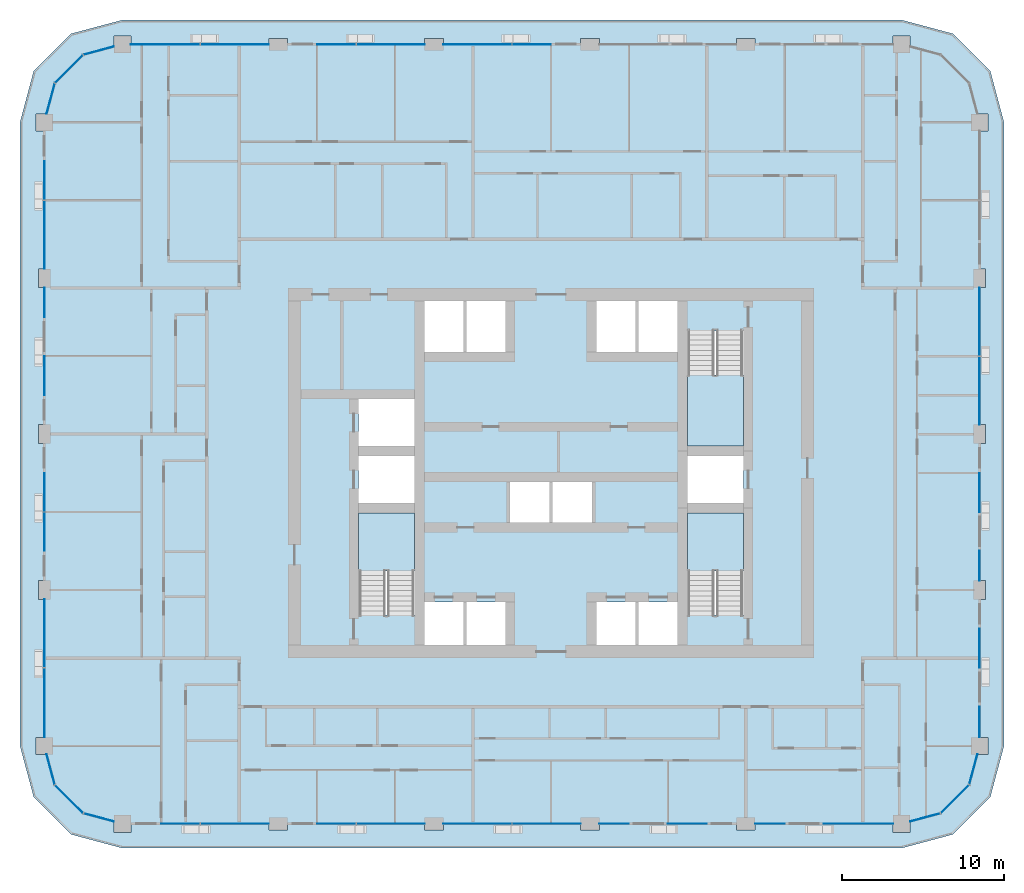
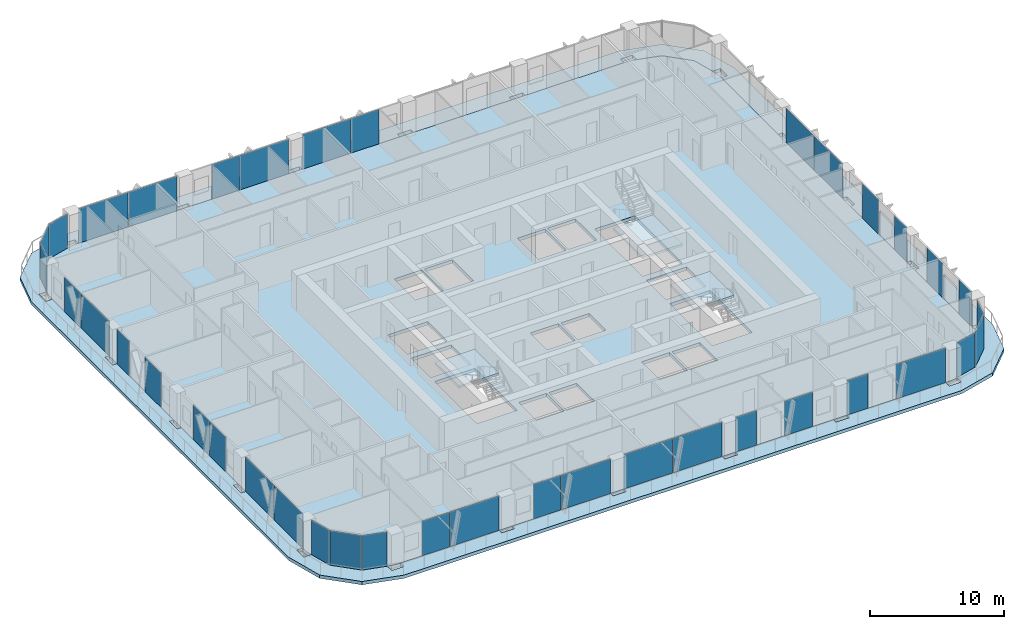
# One storey, part 7 of 22: 39 plates, 5 slabs, 21 elements without a shape of their own.
"""IFC4 building model written with IfcOpenShell, lengths in metres."""

from ifc_helpers import new_model, si_unit, direction, frame, origin, origin_2d, place, context, subcontext, project, spatial, polyline, rectangle, outline, extrude, material, layer, layer_set, type_object, element, aggregate, save


model = new_model("IFC4")

# Units and contexts
model_context = context("Model", 3, precision=1e-05, world=origin(), true_north=direction((0.0, 1.0)))
body_context = subcontext(model_context, "Body", "Model", "MODEL_VIEW")
ifc_project = project(units=[si_unit("LENGTHUNIT", "METRE"), si_unit("AREAUNIT", "SQUARE_METRE"), si_unit("VOLUMEUNIT", "CUBIC_METRE"), si_unit("PLANEANGLEUNIT", "RADIAN"), si_unit("MASSUNIT", "GRAM", prefix="KILO")], contexts=[model_context])

# Site, building, storey
site_placement = place(None, origin())
site = spatial("IfcSite", under=ifc_project, at=site_placement, CompositionType="ELEMENT")
building_placement = place(site_placement, origin())
building = spatial("IfcBuilding", under=site, at=building_placement, Name="Madar Terraces", CompositionType="ELEMENT")
storey_placement = place(building_placement, frame((0.0, 0.0, 119.10009765625)))
storey = spatial("IfcBuildingStorey", under=building, at=storey_placement, Name="L30", CompositionType="ELEMENT", Elevation=119.10009765625)

# Slabs
ifc_material_1 = material(Name="Concrete C50/60", Category="concrete")
ifc_layer_1 = layer(ifc_material_1, 0.300048828125)
ifc_layer_set_1 = layer_set([ifc_layer_1], Name="Balcony band 300")
slab_type_1 = type_object("IfcSlabType", Name="Balcony band 300", PredefinedType="FLOOR", material=ifc_layer_set_1)
slab_1_placement = place(storey_placement, frame((0.0, 0.0, -0.300048828125)))
element("IfcSlab", 1, at=slab_1_placement, inside=storey, type_object=slab_type_1, Name="Balcony band", PredefinedType="FLOOR", context=body_context, shape_type="SweptSolid", body=[
    extrude(outline(polyline([(4.800048828125, 3.300048828125), (1.64990234375, 4.14404296875), (-0.656005859375, 6.449951171875), (-1.5, 9.60009765625), (-1.5, 48.0), (-0.656005859375, 51.14990234375), (1.64990234375, 53.4560546875), (4.800048828125, 54.300048828125), (52.800048828125, 54.300048828125), (55.949951171875, 53.4560546875), (58.256103515625, 51.14990234375), (59.10009765625, 48.0), (59.10009765625, 9.60009765625), (58.256103515625, 6.449951171875), (55.949951171875, 4.14404296875), (52.800048828125, 3.300048828125), (4.800048828125, 3.300048828125)]), holes=[polyline([(5.324951171875, 4.27490234375), (5.324951171875, 4.800048828125), (13.824951171875, 4.800048828125), (13.824951171875, 4.425048828125), (14.97509765625, 4.425048828125), (14.97509765625, 4.800048828125), (23.425048828125, 4.800048828125), (23.425048828125, 4.425048828125), (24.574951171875, 4.425048828125), (24.574951171875, 4.800048828125), (33.02490234375, 4.800048828125), (33.02490234375, 4.425048828125), (34.175048828125, 4.425048828125), (34.175048828125, 4.800048828125), (42.625, 4.800048828125), (42.625, 4.425048828125), (43.77490234375, 4.425048828125), (43.77490234375, 4.800048828125), (52.27490234375, 4.800048828125), (52.27490234375, 4.27490234375), (53.324951171875, 4.27490234375), (53.324951171875, 4.940673828125), (55.199951171875, 5.443115234375), (56.956787109375, 7.199951171875), (57.459228515625, 9.074951171875), (58.125, 9.074951171875), (58.125, 10.125), (57.60009765625, 10.125), (57.60009765625, 18.625), (57.97509765625, 18.625), (57.97509765625, 19.77490234375), (57.60009765625, 19.77490234375), (57.60009765625, 28.22509765625), (57.97509765625, 28.22509765625), (57.97509765625, 29.375), (57.60009765625, 29.375), (57.60009765625, 37.824951171875), (57.97509765625, 37.824951171875), (57.97509765625, 38.97509765625), (57.60009765625, 38.97509765625), (57.60009765625, 47.47509765625), (58.125, 47.47509765625), (58.125, 48.52490234375), (57.459228515625, 48.52490234375), (56.956787109375, 50.39990234375), (55.199951171875, 52.156982421875), (53.324951171875, 52.6591796875), (53.324951171875, 53.324951171875), (52.27490234375, 53.324951171875), (52.27490234375, 52.800048828125), (43.77490234375, 52.800048828125), (43.77490234375, 53.175048828125), (42.625, 53.175048828125), (42.625, 52.800048828125), (34.175048828125, 52.800048828125), (34.175048828125, 53.175048828125), (33.02490234375, 53.175048828125), (33.02490234375, 52.800048828125), (24.574951171875, 52.800048828125), (24.574951171875, 53.175048828125), (23.425048828125, 53.175048828125), (23.425048828125, 52.800048828125), (14.97509765625, 52.800048828125), (14.97509765625, 53.175048828125), (13.824951171875, 53.175048828125), (13.824951171875, 52.800048828125), (5.324951171875, 52.800048828125), (5.324951171875, 53.324951171875), (4.27490234375, 53.324951171875), (4.27490234375, 52.6591796875), (2.39990234375, 52.156982421875), (0.64306640625, 50.39990234375), (0.140625, 48.52490234375), (-0.52490234375, 48.52490234375), (-0.52490234375, 47.47509765625), (0.0, 47.47509765625), (0.0, 38.97509765625), (-0.375, 38.97509765625), (-0.375, 37.824951171875), (0.0, 37.824951171875), (0.0, 29.375), (-0.375, 29.375), (-0.375, 28.22509765625), (0.0, 28.22509765625), (0.0, 19.77490234375), (-0.375, 19.77490234375), (-0.375, 18.625), (0.0, 18.625), (0.0, 10.125), (-0.52490234375, 10.125), (-0.52490234375, 9.074951171875), (0.140625, 9.074951171875), (0.64306640625, 7.199951171875), (2.39990234375, 5.443115234375), (4.27490234375, 4.940673828125), (4.27490234375, 4.27490234375), (5.324951171875, 4.27490234375)])]), origin(), (0.0, 0.0, 1.0), 0.300048828125),
])
ifc_material_2 = material(Name="Concrete C50/60", Category="concrete")
ifc_layer_2 = layer(ifc_material_2, 0.300048828125)
ifc_layer_set_2 = layer_set([ifc_layer_2], Name="FS2 PT flat slab 300")
slab_type_2 = type_object("IfcSlabType", Name="FS2 PT flat slab 300", PredefinedType="FLOOR", material=ifc_layer_set_2)
slab_2_placement = place(storey_placement, frame((0.0, 0.0, -0.300048828125)))
element("IfcSlab", 2, at=slab_2_placement, inside=storey, type_object=slab_type_2, Name="Floor slab L30 (1)", PredefinedType="FLOOR", context=body_context, shape_type="SweptSolid", body=[
    extrude(outline(polyline([(52.800048828125, 4.800048828125), (55.199951171875, 5.443115234375), (56.95703125, 7.199951171875), (57.60009765625, 9.60009765625), (57.60009765625, 48.0), (56.95703125, 50.39990234375), (55.199951171875, 52.156982421875), (52.800048828125, 52.800048828125), (4.800048828125, 52.800048828125), (2.39990234375, 52.156982421875), (0.64306640625, 50.39990234375), (0.0, 48.0), (0.0, 9.60009765625), (0.64306640625, 7.199951171875), (2.39990234375, 5.443115234375), (4.800048828125, 4.800048828125), (52.800048828125, 4.800048828125)]), holes=[polyline([(23.39990234375, 15.800048828125), (23.39990234375, 18.449951171875), (25.800048828125, 18.449951171875), (25.800048828125, 15.800048828125), (23.39990234375, 15.800048828125)]), polyline([(26.0, 15.800048828125), (26.0, 18.449951171875), (28.39990234375, 18.449951171875), (28.39990234375, 15.800048828125), (26.0, 15.800048828125)]), polyline([(19.35009765625, 17.64990234375), (19.35009765625, 23.949951171875), (22.800048828125, 23.949951171875), (22.800048828125, 17.64990234375), (19.35009765625, 17.64990234375)]), polyline([(28.666748046875, 23.35009765625), (28.666748046875, 25.85009765625), (31.10009765625, 25.85009765625), (31.10009765625, 23.35009765625), (28.666748046875, 23.35009765625)]), polyline([(19.35009765625, 24.550048828125), (19.35009765625, 27.449951171875), (22.800048828125, 27.449951171875), (22.800048828125, 24.550048828125), (19.35009765625, 24.550048828125)]), polyline([(19.35009765625, 28.050048828125), (19.35009765625, 30.949951171875), (22.800048828125, 30.949951171875), (22.800048828125, 28.050048828125), (19.35009765625, 28.050048828125)]), polyline([(23.39990234375, 33.85009765625), (23.39990234375, 37.0), (25.800048828125, 37.0), (25.800048828125, 33.85009765625), (23.39990234375, 33.85009765625)]), polyline([(26.0, 33.85009765625), (26.0, 37.0), (28.39990234375, 37.0), (28.39990234375, 33.85009765625), (26.0, 33.85009765625)]), polyline([(34.0, 15.800048828125), (34.0, 18.449951171875), (36.39990234375, 18.449951171875), (36.39990234375, 15.800048828125), (34.0, 15.800048828125)]), polyline([(36.60009765625, 15.800048828125), (36.60009765625, 18.449951171875), (39.0, 18.449951171875), (39.0, 15.800048828125), (36.60009765625, 15.800048828125)]), polyline([(39.60009765625, 17.64990234375), (39.60009765625, 23.949951171875), (43.050048828125, 23.949951171875), (43.050048828125, 17.64990234375), (39.60009765625, 17.64990234375)]), polyline([(31.300048828125, 23.35009765625), (31.300048828125, 25.85009765625), (33.7333984375, 25.85009765625), (33.7333984375, 23.35009765625), (31.300048828125, 23.35009765625)]), polyline([(39.60009765625, 24.550048828125), (39.60009765625, 27.449951171875), (43.050048828125, 27.449951171875), (43.050048828125, 24.550048828125), (39.60009765625, 24.550048828125)]), polyline([(39.60009765625, 28.050048828125), (39.60009765625, 35.14990234375), (43.050048828125, 35.14990234375), (43.050048828125, 28.050048828125), (39.60009765625, 28.050048828125)]), polyline([(34.0, 33.85009765625), (34.0, 37.0), (36.39990234375, 37.0), (36.39990234375, 33.85009765625), (34.0, 33.85009765625)]), polyline([(36.60009765625, 33.85009765625), (36.60009765625, 37.0), (39.0, 37.0), (39.0, 33.85009765625), (36.60009765625, 33.85009765625)])]), origin(), (0.0, 0.0, 1.0), 0.300048828125),
])

# Curtain wall, plates
ifc_material_3 = material(Name="Glass, ceramic frit dark grey, with black aluminium frame", Category="aluminium")
ifc_layer_3 = layer(ifc_material_3, 0.199951171875)
ifc_layer_set_3 = layer_set([ifc_layer_3], Name="Facade curtain wall, fritted glass")
curtain_wall_type = type_object("IfcCurtainWallType", Name="Facade curtain wall, fritted glass", PredefinedType="NOTDEFINED", material=ifc_layer_set_3)
curtain_wall_1_placement = place(storey_placement, origin())
curtain_wall_1 = element("IfcCurtainWall", 3, at=curtain_wall_1_placement, inside=storey, type_object=curtain_wall_type, Name="Outer skin curtain wall south bay 1", PredefinedType="NOTDEFINED")
ifc_material_4 = material(Name="Glass, ceramic frit dark grey", Category="glass")
ifc_layer_4 = layer(ifc_material_4, 0.028076171875)
ifc_layer_set_4 = layer_set([ifc_layer_4], Name="Facade glass panel 28")
plate_type = type_object("IfcPlateType", Name="Facade glass panel 28", PredefinedType="CURTAIN_PANEL", material=ifc_layer_set_4)
plate_1_placement = place(storey_placement, frame((8.385009765625, 4.800048828125, 0.0), z_axis=(0.0, 0.0, 1.0), x_axis=(1.0, 0.0, 0.0)))
plate_1 = element("IfcPlate", 4, at=plate_1_placement, type_object=plate_type, Name="Panel 1", PredefinedType="CURTAIN_PANEL", context=body_context, shape_type="SweptSolid", body=[
    extrude(rectangle(XDim=2.3701171875, YDim=0.028076171875, at=origin_2d()), origin(), (0.0, 0.0, 1.0), 3.139892578125),
])
plate_2_placement = place(storey_placement, frame((11.7275390625, 4.800048828125, 0.0), z_axis=(0.0, 0.0, 1.0), x_axis=(1.0, 0.0, 0.0)))
plate_2 = element("IfcPlate", 5, at=plate_2_placement, type_object=plate_type, Name="Panel 2", PredefinedType="CURTAIN_PANEL", context=body_context, shape_type="SweptSolid", body=[
    extrude(rectangle(XDim=4.195068359375, YDim=0.028076171875, at=origin_2d()), origin(), (0.0, 0.0, 1.0), 3.139892578125),
])
aggregate(curtain_wall_1, [plate_1, plate_2])

curtain_wall_2_placement = place(storey_placement, origin())
curtain_wall_2 = element("IfcCurtainWall", 6, at=curtain_wall_2_placement, inside=storey, type_object=curtain_wall_type, Name="Outer skin curtain wall south bay 2", PredefinedType="NOTDEFINED")
plate_3_placement = place(storey_placement, frame((17.985107421875, 4.800048828125, 0.0), z_axis=(0.0, 0.0, 1.0), x_axis=(1.0, 0.0, 0.0)))
plate_3 = element("IfcPlate", 7, at=plate_3_placement, type_object=plate_type, Name="Panel 1", PredefinedType="CURTAIN_PANEL", context=body_context, shape_type="SweptSolid", body=[
    extrude(rectangle(XDim=2.3701171875, YDim=0.028076171875, at=origin_2d()), origin(), (0.0, 0.0, 1.0), 3.139892578125),
])
plate_4_placement = place(storey_placement, frame((21.327392578125, 4.800048828125, 0.0), z_axis=(0.0, 0.0, 1.0), x_axis=(1.0, 0.0, 0.0)))
plate_4 = element("IfcPlate", 8, at=plate_4_placement, type_object=plate_type, Name="Panel 2", PredefinedType="CURTAIN_PANEL", context=body_context, shape_type="SweptSolid", body=[
    extrude(rectangle(XDim=4.195068359375, YDim=0.028076171875, at=origin_2d()), origin(), (0.0, 0.0, 1.0), 3.139892578125),
])
aggregate(curtain_wall_2, [plate_3, plate_4])

curtain_wall_3_placement = place(storey_placement, origin())
curtain_wall_3 = element("IfcCurtainWall", 9, at=curtain_wall_3_placement, inside=storey, type_object=curtain_wall_type, Name="Outer skin curtain wall south bay 3", PredefinedType="NOTDEFINED")
plate_5_placement = place(storey_placement, frame((26.672607421875, 4.800048828125, 0.0), z_axis=(0.0, 0.0, 1.0), x_axis=(1.0, 0.0, 0.0)))
plate_5 = element("IfcPlate", 10, at=plate_5_placement, type_object=plate_type, Name="Panel 1", PredefinedType="CURTAIN_PANEL", context=body_context, shape_type="SweptSolid", body=[
    extrude(rectangle(XDim=4.195068359375, YDim=0.028076171875, at=origin_2d()), origin(), (0.0, 0.0, 1.0), 3.139892578125),
])
plate_6_placement = place(storey_placement, frame((30.927490234375, 4.800048828125, 0.0), z_axis=(0.0, 0.0, 1.0), x_axis=(1.0, 0.0, 0.0)))
plate_6 = element("IfcPlate", 11, at=plate_6_placement, type_object=plate_type, Name="Panel 2", PredefinedType="CURTAIN_PANEL", context=body_context, shape_type="SweptSolid", body=[
    extrude(rectangle(XDim=4.195068359375, YDim=0.028076171875, at=origin_2d()), origin(), (0.0, 0.0, 1.0), 3.139892578125),
])
aggregate(curtain_wall_3, [plate_5, plate_6])

curtain_wall_4_placement = place(storey_placement, origin())
curtain_wall_4 = element("IfcCurtainWall", 12, at=curtain_wall_4_placement, inside=storey, type_object=curtain_wall_type, Name="Outer skin curtain wall south bay 4", PredefinedType="NOTDEFINED")
plate_7_placement = place(storey_placement, frame((35.08740234375, 4.800048828125, 0.0), z_axis=(0.0, 0.0, 1.0), x_axis=(1.0, 0.0, 0.0)))
plate_7 = element("IfcPlate", 13, at=plate_7_placement, type_object=plate_type, Name="Panel 1", PredefinedType="CURTAIN_PANEL", context=body_context, shape_type="SweptSolid", body=[
    extrude(rectangle(XDim=1.824951171875, YDim=0.028076171875, at=origin_2d()), origin(), (0.0, 0.0, 1.0), 3.139892578125),
])
plate_8_placement = place(storey_placement, frame((39.60009765625, 4.800048828125, 0.0), z_axis=(0.0, 0.0, 1.0), x_axis=(1.0, 0.0, 0.0)))
plate_8 = element("IfcPlate", 14, at=plate_8_placement, type_object=plate_type, Name="Panel 2", PredefinedType="CURTAIN_PANEL", context=body_context, shape_type="SweptSolid", body=[
    extrude(rectangle(XDim=2.39990234375, YDim=0.028076171875, at=origin_2d()), origin(), (0.0, 0.0, 1.0), 3.139892578125),
])
aggregate(curtain_wall_4, [plate_7, plate_8])

curtain_wall_5_placement = place(storey_placement, origin())
curtain_wall_5 = element("IfcCurtainWall", 15, at=curtain_wall_5_placement, inside=storey, type_object=curtain_wall_type, Name="Outer skin curtain wall south bay 5", PredefinedType="NOTDEFINED")
plate_9_placement = place(storey_placement, frame((44.6875, 4.800048828125, 0.0), z_axis=(0.0, 0.0, 1.0), x_axis=(1.0, 0.0, 0.0)))
plate_9 = element("IfcPlate", 16, at=plate_9_placement, type_object=plate_type, Name="Panel 1", PredefinedType="CURTAIN_PANEL", context=body_context, shape_type="SweptSolid", body=[
    extrude(rectangle(XDim=1.824951171875, YDim=0.028076171875, at=origin_2d()), origin(), (0.0, 0.0, 1.0), 3.139892578125),
])
plate_10_placement = place(storey_placement, frame((50.137451171875, 4.800048828125, 0.0), z_axis=(0.0, 0.0, 1.0), x_axis=(1.0, 0.0, 0.0)))
plate_10 = element("IfcPlate", 17, at=plate_10_placement, type_object=plate_type, Name="Panel 2", PredefinedType="CURTAIN_PANEL", context=body_context, shape_type="SweptSolid", body=[
    extrude(rectangle(XDim=4.27490234375, YDim=0.028076171875, at=origin_2d()), origin(), (0.0, 0.0, 1.0), 3.139892578125),
])
aggregate(curtain_wall_5, [plate_9, plate_10])

curtain_wall_6_placement = place(storey_placement, origin())
curtain_wall_6 = element("IfcCurtainWall", 18, at=curtain_wall_6_placement, inside=storey, type_object=curtain_wall_type, Name="Outer skin curtain wall east bay 1", PredefinedType="NOTDEFINED")
plate_11_placement = place(storey_placement, frame((57.60009765625, 11.0625, 0.0), z_axis=(0.0, 0.0, 1.0), x_axis=(0.0, 1.0, 0.0)))
plate_11 = element("IfcPlate", 19, at=plate_11_placement, type_object=plate_type, Name="Panel 1", PredefinedType="CURTAIN_PANEL", context=body_context, shape_type="SweptSolid", body=[
    extrude(rectangle(XDim=1.875, YDim=0.028076171875, at=origin_2d()), origin(), (0.0, 0.0, 1.0), 3.139892578125),
])
plate_12_placement = place(storey_placement, frame((57.60009765625, 15.60009765625, 0.0), z_axis=(0.0, 0.0, 1.0), x_axis=(0.0, 1.0, 0.0)))
plate_12 = element("IfcPlate", 20, at=plate_12_placement, type_object=plate_type, Name="Panel 2", PredefinedType="CURTAIN_PANEL", context=body_context, shape_type="SweptSolid", body=[
    extrude(rectangle(XDim=2.39990234375, YDim=0.028076171875, at=origin_2d()), origin(), (0.0, 0.0, 1.0), 3.139892578125),
])
aggregate(curtain_wall_6, [plate_11, plate_12])

curtain_wall_7_placement = place(storey_placement, origin())
curtain_wall_7 = element("IfcCurtainWall", 21, at=curtain_wall_7_placement, inside=storey, type_object=curtain_wall_type, Name="Outer skin curtain wall east bay 2", PredefinedType="NOTDEFINED")
plate_13_placement = place(storey_placement, frame((57.60009765625, 20.6875, 0.0), z_axis=(0.0, 0.0, 1.0), x_axis=(0.0, 1.0, 0.0)))
plate_13 = element("IfcPlate", 22, at=plate_13_placement, type_object=plate_type, Name="Panel 1", PredefinedType="CURTAIN_PANEL", context=body_context, shape_type="SweptSolid", body=[
    extrude(rectangle(XDim=1.824951171875, YDim=0.028076171875, at=origin_2d()), origin(), (0.0, 0.0, 1.0), 3.139892578125),
])
plate_14_placement = place(storey_placement, frame((57.60009765625, 25.199951171875, 0.0), z_axis=(0.0, 0.0, 1.0), x_axis=(0.0, 1.0, 0.0)))
plate_14 = element("IfcPlate", 23, at=plate_14_placement, type_object=plate_type, Name="Panel 2", PredefinedType="CURTAIN_PANEL", context=body_context, shape_type="SweptSolid", body=[
    extrude(rectangle(XDim=2.39990234375, YDim=0.028076171875, at=origin_2d()), origin(), (0.0, 0.0, 1.0), 3.139892578125),
])
aggregate(curtain_wall_7, [plate_13, plate_14])

curtain_wall_8_placement = place(storey_placement, origin())
curtain_wall_8 = element("IfcCurtainWall", 24, at=curtain_wall_8_placement, inside=storey, type_object=curtain_wall_type, Name="Outer skin curtain wall east bay 3", PredefinedType="NOTDEFINED")
plate_15_placement = place(storey_placement, frame((57.60009765625, 31.472412109375, 0.0), z_axis=(0.0, 0.0, 1.0), x_axis=(0.0, 1.0, 0.0)))
plate_15 = element("IfcPlate", 25, at=plate_15_placement, type_object=plate_type, Name="Panel 1", PredefinedType="CURTAIN_PANEL", context=body_context, shape_type="SweptSolid", body=[
    extrude(rectangle(XDim=4.195068359375, YDim=0.028076171875, at=origin_2d()), origin(), (0.0, 0.0, 1.0), 3.139892578125),
])
plate_16_placement = place(storey_placement, frame((57.60009765625, 35.7275390625, 0.0), z_axis=(0.0, 0.0, 1.0), x_axis=(0.0, 1.0, 0.0)))
plate_16 = element("IfcPlate", 26, at=plate_16_placement, type_object=plate_type, Name="Panel 2", PredefinedType="CURTAIN_PANEL", context=body_context, shape_type="SweptSolid", body=[
    extrude(rectangle(XDim=4.195068359375, YDim=0.028076171875, at=origin_2d()), origin(), (0.0, 0.0, 1.0), 3.139892578125),
])
aggregate(curtain_wall_8, [plate_15, plate_16])

curtain_wall_9_placement = place(storey_placement, origin())
curtain_wall_9 = element("IfcCurtainWall", 27, at=curtain_wall_9_placement, inside=storey, type_object=curtain_wall_type, Name="Outer skin curtain wall north bay 3", PredefinedType="NOTDEFINED")
plate_17_placement = place(storey_placement, frame((30.014892578125, 52.800048828125, 0.0), z_axis=(0.0, 0.0, 1.0), x_axis=(-1.0, 0.0, 0.0)))
plate_17 = element("IfcPlate", 28, at=plate_17_placement, type_object=plate_type, Name="Panel 1", PredefinedType="CURTAIN_PANEL", context=body_context, shape_type="SweptSolid", body=[
    extrude(rectangle(XDim=2.3701171875, YDim=0.028076171875, at=origin_2d()), origin(), (0.0, 0.0, 1.0), 3.139892578125),
])
plate_18_placement = place(storey_placement, frame((26.672607421875, 52.800048828125, 0.0), z_axis=(0.0, 0.0, 1.0), x_axis=(-1.0, 0.0, 0.0)))
plate_18 = element("IfcPlate", 29, at=plate_18_placement, type_object=plate_type, Name="Panel 2", PredefinedType="CURTAIN_PANEL", context=body_context, shape_type="SweptSolid", body=[
    extrude(rectangle(XDim=4.195068359375, YDim=0.028076171875, at=origin_2d()), origin(), (0.0, 0.0, 1.0), 3.139892578125),
])
aggregate(curtain_wall_9, [plate_17, plate_18])

curtain_wall_10_placement = place(storey_placement, origin())
curtain_wall_10 = element("IfcCurtainWall", 30, at=curtain_wall_10_placement, inside=storey, type_object=curtain_wall_type, Name="Outer skin curtain wall north bay 4", PredefinedType="NOTDEFINED")
plate_19_placement = place(storey_placement, frame((21.327392578125, 52.800048828125, 0.0), z_axis=(0.0, 0.0, 1.0), x_axis=(-1.0, 0.0, 0.0)))
plate_19 = element("IfcPlate", 31, at=plate_19_placement, type_object=plate_type, Name="Panel 1", PredefinedType="CURTAIN_PANEL", context=body_context, shape_type="SweptSolid", body=[
    extrude(rectangle(XDim=4.195068359375, YDim=0.028076171875, at=origin_2d()), origin(), (0.0, 0.0, 1.0), 3.139892578125),
])
plate_20_placement = place(storey_placement, frame((17.985107421875, 52.800048828125, 0.0), z_axis=(0.0, 0.0, 1.0), x_axis=(-1.0, 0.0, 0.0)))
plate_20 = element("IfcPlate", 32, at=plate_20_placement, type_object=plate_type, Name="Panel 2", PredefinedType="CURTAIN_PANEL", context=body_context, shape_type="SweptSolid", body=[
    extrude(rectangle(XDim=2.3701171875, YDim=0.028076171875, at=origin_2d()), origin(), (0.0, 0.0, 1.0), 3.139892578125),
])
aggregate(curtain_wall_10, [plate_19, plate_20])

curtain_wall_11_placement = place(storey_placement, origin())
curtain_wall_11 = element("IfcCurtainWall", 33, at=curtain_wall_11_placement, inside=storey, type_object=curtain_wall_type, Name="Outer skin curtain wall north bay 5", PredefinedType="NOTDEFINED")
plate_21_placement = place(storey_placement, frame((11.7275390625, 52.800048828125, 0.0), z_axis=(0.0, 0.0, 1.0), x_axis=(-1.0, 0.0, 0.0)))
plate_21 = element("IfcPlate", 34, at=plate_21_placement, type_object=plate_type, Name="Panel 1", PredefinedType="CURTAIN_PANEL", context=body_context, shape_type="SweptSolid", body=[
    extrude(rectangle(XDim=4.195068359375, YDim=0.028076171875, at=origin_2d()), origin(), (0.0, 0.0, 1.0), 3.139892578125),
])
plate_22_placement = place(storey_placement, frame((7.447509765625, 52.800048828125, 0.0), z_axis=(0.0, 0.0, 1.0), x_axis=(-1.0, 0.0, 0.0)))
plate_22 = element("IfcPlate", 35, at=plate_22_placement, type_object=plate_type, Name="Panel 2", PredefinedType="CURTAIN_PANEL", context=body_context, shape_type="SweptSolid", body=[
    extrude(rectangle(XDim=4.2451171875, YDim=0.028076171875, at=origin_2d()), origin(), (0.0, 0.0, 1.0), 3.139892578125),
])
aggregate(curtain_wall_11, [plate_21, plate_22])

curtain_wall_12_placement = place(storey_placement, origin())
curtain_wall_12 = element("IfcCurtainWall", 36, at=curtain_wall_12_placement, inside=storey, type_object=curtain_wall_type, Name="Outer skin curtain wall west bay 1", PredefinedType="NOTDEFINED")
plate_23_placement = place(storey_placement, frame((0.0, 44.4150390625, 0.0), z_axis=(0.0, 0.0, 1.0), x_axis=(0.0, -1.0, 0.0)))
plate_23 = element("IfcPlate", 37, at=plate_23_placement, type_object=plate_type, Name="Panel 1", PredefinedType="CURTAIN_PANEL", context=body_context, shape_type="SweptSolid", body=[
    extrude(rectangle(XDim=2.3701171875, YDim=0.028076171875, at=origin_2d()), origin(), (0.0, 0.0, 1.0), 3.139892578125),
])
plate_24_placement = place(storey_placement, frame((0.0, 41.072509765625, 0.0), z_axis=(0.0, 0.0, 1.0), x_axis=(0.0, -1.0, 0.0)))
plate_24 = element("IfcPlate", 38, at=plate_24_placement, type_object=plate_type, Name="Panel 2", PredefinedType="CURTAIN_PANEL", context=body_context, shape_type="SweptSolid", body=[
    extrude(rectangle(XDim=4.195068359375, YDim=0.028076171875, at=origin_2d()), origin(), (0.0, 0.0, 1.0), 3.139892578125),
])
aggregate(curtain_wall_12, [plate_23, plate_24])

curtain_wall_13_placement = place(storey_placement, origin())
curtain_wall_13 = element("IfcCurtainWall", 39, at=curtain_wall_13_placement, inside=storey, type_object=curtain_wall_type, Name="Outer skin curtain wall west bay 2", PredefinedType="NOTDEFINED")
plate_25_placement = place(storey_placement, frame((0.0, 36.91259765625, 0.0), z_axis=(0.0, 0.0, 1.0), x_axis=(0.0, -1.0, 0.0)))
plate_25 = element("IfcPlate", 40, at=plate_25_placement, type_object=plate_type, Name="Panel 1", PredefinedType="CURTAIN_PANEL", context=body_context, shape_type="SweptSolid", body=[
    extrude(rectangle(XDim=1.824951171875, YDim=0.028076171875, at=origin_2d()), origin(), (0.0, 0.0, 1.0), 3.139892578125),
])
plate_26_placement = place(storey_placement, frame((0.0, 32.39990234375, 0.0), z_axis=(0.0, 0.0, 1.0), x_axis=(0.0, -1.0, 0.0)))
plate_26 = element("IfcPlate", 41, at=plate_26_placement, type_object=plate_type, Name="Panel 2", PredefinedType="CURTAIN_PANEL", context=body_context, shape_type="SweptSolid", body=[
    extrude(rectangle(XDim=2.39990234375, YDim=0.028076171875, at=origin_2d()), origin(), (0.0, 0.0, 1.0), 3.139892578125),
])
aggregate(curtain_wall_13, [plate_25, plate_26])

curtain_wall_14_placement = place(storey_placement, origin())
curtain_wall_14 = element("IfcCurtainWall", 42, at=curtain_wall_14_placement, inside=storey, type_object=curtain_wall_type, Name="Outer skin curtain wall west bay 3", PredefinedType="NOTDEFINED")
plate_27_placement = place(storey_placement, frame((0.0, 25.215087890625, 0.0), z_axis=(0.0, 0.0, 1.0), x_axis=(0.0, -1.0, 0.0)))
plate_27 = element("IfcPlate", 43, at=plate_27_placement, type_object=plate_type, Name="Panel 1", PredefinedType="CURTAIN_PANEL", context=body_context, shape_type="SweptSolid", body=[
    extrude(rectangle(XDim=2.3701171875, YDim=0.028076171875, at=origin_2d()), origin(), (0.0, 0.0, 1.0), 3.139892578125),
])
plate_28_placement = place(storey_placement, frame((0.0, 22.784912109375, 0.0), z_axis=(0.0, 0.0, 1.0), x_axis=(0.0, -1.0, 0.0)))
plate_28 = element("IfcPlate", 44, at=plate_28_placement, type_object=plate_type, Name="Panel 2", PredefinedType="CURTAIN_PANEL", context=body_context, shape_type="SweptSolid", body=[
    extrude(rectangle(XDim=2.3701171875, YDim=0.028076171875, at=origin_2d()), origin(), (0.0, 0.0, 1.0), 3.139892578125),
])
aggregate(curtain_wall_14, [plate_27, plate_28])

curtain_wall_15_placement = place(storey_placement, origin())
curtain_wall_15 = element("IfcCurtainWall", 45, at=curtain_wall_15_placement, inside=storey, type_object=curtain_wall_type, Name="Outer skin curtain wall west bay 4", PredefinedType="NOTDEFINED")
plate_29_placement = place(storey_placement, frame((0.0, 16.527587890625, 0.0), z_axis=(0.0, 0.0, 1.0), x_axis=(0.0, -1.0, 0.0)))
plate_29 = element("IfcPlate", 46, at=plate_29_placement, type_object=plate_type, Name="Panel 1", PredefinedType="CURTAIN_PANEL", context=body_context, shape_type="SweptSolid", body=[
    extrude(rectangle(XDim=4.195068359375, YDim=0.028076171875, at=origin_2d()), origin(), (0.0, 0.0, 1.0), 3.139892578125),
])
plate_30_placement = place(storey_placement, frame((0.0, 12.24755859375, 0.0), z_axis=(0.0, 0.0, 1.0), x_axis=(0.0, -1.0, 0.0)))
plate_30 = element("IfcPlate", 47, at=plate_30_placement, type_object=plate_type, Name="Panel 2", PredefinedType="CURTAIN_PANEL", context=body_context, shape_type="SweptSolid", body=[
    extrude(rectangle(XDim=4.2451171875, YDim=0.028076171875, at=origin_2d()), origin(), (0.0, 0.0, 1.0), 3.139892578125),
])
aggregate(curtain_wall_15, [plate_29, plate_30])

curtain_wall_16_placement = place(storey_placement, origin())
curtain_wall_16 = element("IfcCurtainWall", 48, at=curtain_wall_16_placement, inside=storey, type_object=curtain_wall_type, Name="Outer skin curtain wall south-east corner", PredefinedType="NOTDEFINED")
plate_31_placement = place(storey_placement, frame((54.248046875, 5.18798828125, 0.0), z_axis=(0.0, 0.0, 1.0), x_axis=(0.965925832509, 0.258819021888, 0.0)))
plate_31 = element("IfcPlate", 49, at=plate_31_placement, type_object=plate_type, Name="Panel 1", PredefinedType="CURTAIN_PANEL", context=body_context, shape_type="SweptSolid", body=[
    extrude(rectangle(XDim=1.9111328125, YDim=0.028076171875, at=origin_2d()), origin(), (0.0, 0.0, 1.0), 3.139892578125),
])
plate_32_placement = place(storey_placement, frame((56.078369140625, 6.321533203125, 0.0), z_axis=(0.0, 0.0, 1.0), x_axis=(0.707106781187, 0.707106781187, 0.0)))
plate_32 = element("IfcPlate", 50, at=plate_32_placement, type_object=plate_type, Name="Panel 2", PredefinedType="CURTAIN_PANEL", context=body_context, shape_type="SweptSolid", body=[
    extrude(rectangle(XDim=2.424560546875, YDim=0.028076171875, at=origin_2d()), origin(), (0.0, 0.0, 1.0), 3.139892578125),
])
plate_33_placement = place(storey_placement, frame((57.2119140625, 8.152099609375, 0.0), z_axis=(0.0, 0.0, 1.0), x_axis=(0.258819021888, 0.965925832509, 0.0)))
plate_33 = element("IfcPlate", 51, at=plate_33_placement, type_object=plate_type, Name="Panel 3", PredefinedType="CURTAIN_PANEL", context=body_context, shape_type="SweptSolid", body=[
    extrude(rectangle(XDim=1.9111328125, YDim=0.028076171875, at=origin_2d()), origin(), (0.0, 0.0, 1.0), 3.139892578125),
])
aggregate(curtain_wall_16, [plate_31, plate_32, plate_33])

curtain_wall_17_placement = place(storey_placement, origin())
curtain_wall_17 = element("IfcCurtainWall", 52, at=curtain_wall_17_placement, inside=storey, type_object=curtain_wall_type, Name="Outer skin curtain wall north-west corner", PredefinedType="NOTDEFINED")
plate_34_placement = place(storey_placement, frame((3.35205078125, 52.412109375, 0.0), z_axis=(0.0, 0.0, 1.0), x_axis=(-0.965925832509, -0.258819021888, 0.0)))
plate_34 = element("IfcPlate", 53, at=plate_34_placement, type_object=plate_type, Name="Panel 1", PredefinedType="CURTAIN_PANEL", context=body_context, shape_type="SweptSolid", body=[
    extrude(rectangle(XDim=1.9111328125, YDim=0.028076171875, at=origin_2d()), origin(), (0.0, 0.0, 1.0), 3.139892578125),
])
plate_35_placement = place(storey_placement, frame((1.521484375, 51.278564453125, 0.0), z_axis=(0.0, 0.0, 1.0), x_axis=(-0.707106781187, -0.707106781187, 0.0)))
plate_35 = element("IfcPlate", 54, at=plate_35_placement, type_object=plate_type, Name="Panel 2", PredefinedType="CURTAIN_PANEL", context=body_context, shape_type="SweptSolid", body=[
    extrude(rectangle(XDim=2.424560546875, YDim=0.028076171875, at=origin_2d()), origin(), (0.0, 0.0, 1.0), 3.139892578125),
])
plate_36_placement = place(storey_placement, frame((0.387939453125, 49.447998046875, 0.0), z_axis=(0.0, 0.0, 1.0), x_axis=(-0.258819021888, -0.965925832509, 0.0)))
plate_36 = element("IfcPlate", 55, at=plate_36_placement, type_object=plate_type, Name="Panel 3", PredefinedType="CURTAIN_PANEL", context=body_context, shape_type="SweptSolid", body=[
    extrude(rectangle(XDim=1.9111328125, YDim=0.028076171875, at=origin_2d()), origin(), (0.0, 0.0, 1.0), 3.139892578125),
])
aggregate(curtain_wall_17, [plate_34, plate_35, plate_36])

curtain_wall_18_placement = place(storey_placement, origin())
curtain_wall_18 = element("IfcCurtainWall", 56, at=curtain_wall_18_placement, inside=storey, type_object=curtain_wall_type, Name="Outer skin curtain wall south-west corner", PredefinedType="NOTDEFINED")
plate_37_placement = place(storey_placement, frame((0.387939453125, 8.152099609375, 0.0), z_axis=(0.0, 0.0, 1.0), x_axis=(0.258819021888, -0.965925832509, 0.0)))
plate_37 = element("IfcPlate", 57, at=plate_37_placement, type_object=plate_type, Name="Panel 1", PredefinedType="CURTAIN_PANEL", context=body_context, shape_type="SweptSolid", body=[
    extrude(rectangle(XDim=1.9111328125, YDim=0.028076171875, at=origin_2d()), origin(), (0.0, 0.0, 1.0), 3.139892578125),
])
plate_38_placement = place(storey_placement, frame((1.521484375, 6.321533203125, 0.0), z_axis=(0.0, 0.0, 1.0), x_axis=(0.707106781187, -0.707106781187, 0.0)))
plate_38 = element("IfcPlate", 58, at=plate_38_placement, type_object=plate_type, Name="Panel 2", PredefinedType="CURTAIN_PANEL", context=body_context, shape_type="SweptSolid", body=[
    extrude(rectangle(XDim=2.424560546875, YDim=0.028076171875, at=origin_2d()), origin(), (0.0, 0.0, 1.0), 3.139892578125),
])
plate_39_placement = place(storey_placement, frame((3.35205078125, 5.18798828125, 0.0), z_axis=(0.0, 0.0, 1.0), x_axis=(0.965925832509, -0.258819021888, 0.0)))
plate_39 = element("IfcPlate", 59, at=plate_39_placement, type_object=plate_type, Name="Panel 3", PredefinedType="CURTAIN_PANEL", context=body_context, shape_type="SweptSolid", body=[
    extrude(rectangle(XDim=1.9111328125, YDim=0.028076171875, at=origin_2d()), origin(), (0.0, 0.0, 1.0), 3.139892578125),
])
aggregate(curtain_wall_18, [plate_37, plate_38, plate_39])

# Stair, slab
ifc_material_5 = material(Name="Concrete C50/60", Category="concrete")
stair_type_1 = type_object("IfcStairType", Name="Stair ST1 protected exit", PredefinedType="HALF_TURN_STAIR", material=ifc_material_5)
stair_1_placement = place(storey_placement, origin())
stair_1 = element("IfcStair", 60, at=stair_1_placement, inside=storey, type_object=stair_type_1, Name="L30 Protected Exit Stair ST1", PredefinedType="HALF_TURN_STAIR")
ifc_material_6 = material(Name="Concrete C50/60", Category="concrete")
ifc_layer_5 = layer(ifc_material_6, 0.199951171875)
ifc_layer_set_5 = layer_set([ifc_layer_5], Name="Stair landing 200, top +1.75")
slab_type_3 = type_object("IfcSlabType", Name="Stair landing 200, top +1.75", PredefinedType="LANDING", material=ifc_layer_set_5)
slab_3_placement = place(storey_placement, frame((0.0, 0.0, 1.5498046875)))
slab_3 = element("IfcSlab", 61, at=slab_3_placement, type_object=slab_type_3, Name="ST1 landing 1", PredefinedType="LANDING", context=body_context, shape_type="SweptSolid", body=[
    extrude(outline(polyline([(19.35009765625, 20.360107421875), (22.800048828125, 20.360107421875), (22.800048828125, 23.949951171875), (19.35009765625, 23.949951171875), (19.35009765625, 20.360107421875)])), origin(), (0.0, 0.0, 1.0), 0.2001953125),
])
aggregate(stair_1, [slab_3])

ifc_material_7 = material(Name="Concrete C50/60", Category="concrete")
stair_type_2 = type_object("IfcStairType", Name="Stair ST2 protected exit", PredefinedType="HALF_TURN_STAIR", material=ifc_material_7)
stair_2_placement = place(storey_placement, origin())
stair_2 = element("IfcStair", 62, at=stair_2_placement, inside=storey, type_object=stair_type_2, Name="L30 Protected Exit Stair ST2", PredefinedType="HALF_TURN_STAIR")
slab_4_placement = place(storey_placement, frame((0.0, 0.0, 1.5498046875)))
slab_4 = element("IfcSlab", 63, at=slab_4_placement, type_object=slab_type_3, Name="ST2 landing 1", PredefinedType="LANDING", context=body_context, shape_type="SweptSolid", body=[
    extrude(outline(polyline([(39.60009765625, 28.050048828125), (43.050048828125, 28.050048828125), (43.050048828125, 32.43994140625), (39.60009765625, 32.43994140625), (39.60009765625, 28.050048828125)])), origin(), (0.0, 0.0, 1.0), 0.2001953125),
])
aggregate(stair_2, [slab_4])

ifc_material_8 = material(Name="Concrete C50/60", Category="concrete")
stair_type_3 = type_object("IfcStairType", Name="Stair ST3 protected exit", PredefinedType="HALF_TURN_STAIR", material=ifc_material_8)
stair_3_placement = place(storey_placement, origin())
stair_3 = element("IfcStair", 64, at=stair_3_placement, inside=storey, type_object=stair_type_3, Name="L30 Protected Exit Stair ST3", PredefinedType="HALF_TURN_STAIR")
slab_5_placement = place(storey_placement, frame((0.0, 0.0, 1.5498046875)))
slab_5 = element("IfcSlab", 65, at=slab_5_placement, type_object=slab_type_3, Name="ST3 landing 1", PredefinedType="LANDING", context=body_context, shape_type="SweptSolid", body=[
    extrude(outline(polyline([(39.60009765625, 20.360107421875), (43.050048828125, 20.360107421875), (43.050048828125, 23.949951171875), (39.60009765625, 23.949951171875), (39.60009765625, 20.360107421875)])), origin(), (0.0, 0.0, 1.0), 0.2001953125),
])
aggregate(stair_3, [slab_5])

save(model, "model.ifc")
